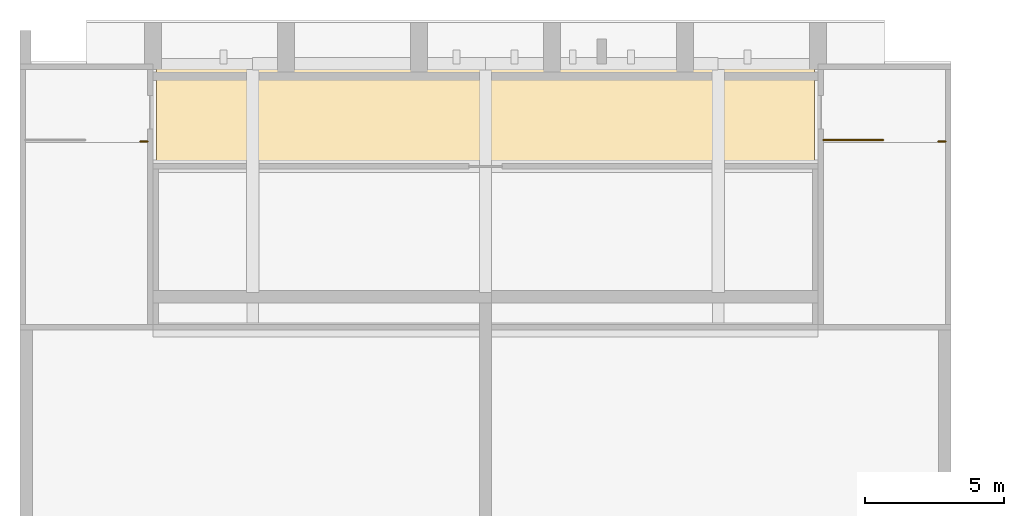
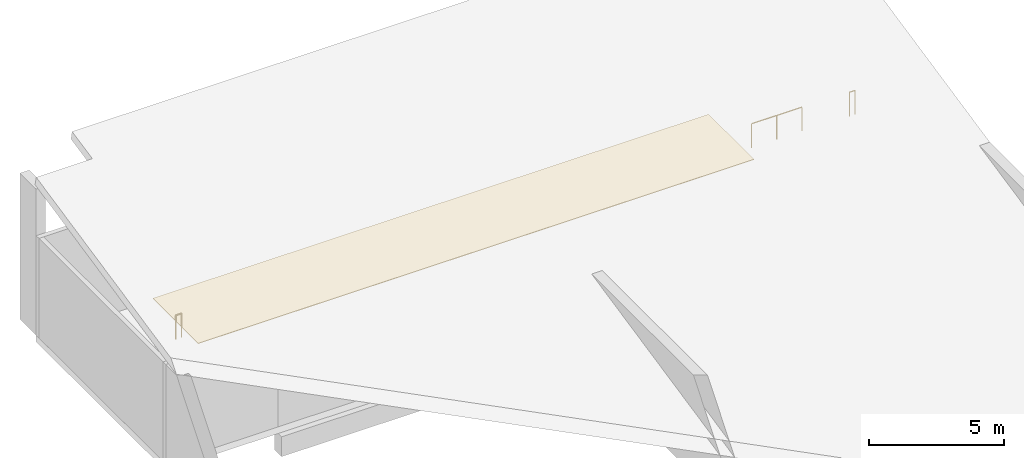
# One storey, part 19 of 19: 3 railings, 1 covering.
"""IFC4 building model written with IfcOpenShell, lengths in metres."""

from ifc_helpers import new_model, si_unit, direction, frame, origin, origin_2d, place, context, subcontext, project, spatial, polyline, circle, outline, extrude, material, layer, layer_set, type_object, element, save


model = new_model("IFC4")

# Units and contexts
model_context = context("Model", 3, precision=1e-05, world=origin(), true_north=direction((0.0, 1.0)))
body_context = subcontext(model_context, "Body", "Model", "MODEL_VIEW")
ifc_project = project(units=[si_unit("LENGTHUNIT", "METRE"), si_unit("AREAUNIT", "SQUARE_METRE"), si_unit("VOLUMEUNIT", "CUBIC_METRE"), si_unit("PLANEANGLEUNIT", "RADIAN"), si_unit("MASSUNIT", "GRAM", prefix="KILO")], contexts=[model_context])

# Site, building, storey
site_placement = place(None, origin())
site = spatial("IfcSite", under=ifc_project, at=site_placement, CompositionType="ELEMENT")
building_placement = place(site_placement, origin())
building = spatial("IfcBuilding", under=site, at=building_placement, Name="Kiln Court Media Centre", CompositionType="ELEMENT")
storey_placement = place(building_placement, frame((0.0, 0.0, 29.10009765625)))
storey = spatial("IfcBuildingStorey", under=building, at=storey_placement, Name="L06", CompositionType="ELEMENT", Elevation=29.10009765625)

# Covering
ifc_material_1 = material(Name="Terrazzo")
ifc_layer = layer(ifc_material_1, 0.02490234375)
ifc_layer_set = layer_set([ifc_layer], Name="Polished terrazzo floor finish 25")
covering_type = type_object("IfcCoveringType", Name="Polished terrazzo floor finish 25", PredefinedType="FLOORING", material=ifc_layer_set)
covering_placement = place(storey_placement, origin())
element("IfcCovering", 1, at=covering_placement, inside=storey, type_object=covering_type, Name="Plant Corridor floor finish", PredefinedType="FLOORING", context=body_context, shape_type="SweptSolid", body=[
    extrude(outline(polyline([(4.919921875, 63.719970703125), (28.679931640625, 63.719970703125), (28.679931640625, 67.080078125), (4.919921875, 67.080078125), (4.919921875, 63.719970703125)])), origin(), (0.0, 0.0, 1.0), 0.02490234375),
])

# Railings
ifc_material_2 = material(Name="Steel S275", Category="steel")
railing_type = type_object("IfcRailingType", Name="Steel S275 stair guard 1100", PredefinedType="GUARDRAIL", material=ifc_material_2)
for number, where, name in (
    (2, (4.35009765625, 64.39990234375, 0.0), "ST-07 landing edge guard"),
    (3, (33.14990234375, 64.39990234375, 0.0), "ST-08 landing edge guard"),
):
    element("IfcRailing", number, at=place(storey_placement, frame(where)), inside=storey, type_object=railing_type, Name=name, PredefinedType="GUARDRAIL", context=body_context, shape_type="SweptSolid", body=[
        extrude(circle(Radius=0.02392578125, at=origin_2d()), frame((0.0, 0.0, 1.076171875), z_axis=(1.0, 0.0, 0.0), x_axis=(0.0, 1.0, 0.0)), (0.0, 0.0, 1.0), 0.25),
        extrude(circle(Radius=0.02099609375, at=origin_2d()), origin(), (0.0, 0.0, 1.0), 1.052001953125),
        extrude(circle(Radius=0.02099609375, at=origin_2d()), frame((0.25, 0.0, 0.0)), (0.0, 0.0, 1.0), 1.052001953125),
    ])
railing_placement = place(storey_placement, frame((29.0, 64.449951171875, 0.0)))
element("IfcRailing", 4, at=railing_placement, inside=storey, type_object=railing_type, Name="ST-08 top floor guard", PredefinedType="GUARDRAIL", context=body_context, shape_type="SweptSolid", body=[
    extrude(circle(Radius=0.02392578125, at=origin_2d()), frame((0.0, 0.0, 1.076171875), z_axis=(1.0, 0.0, 0.0), x_axis=(0.0, 1.0, 0.0)), (0.0, 0.0, 1.0), 2.14990234375),
    extrude(circle(Radius=0.02099609375, at=origin_2d()), origin(), (0.0, 0.0, 1.0), 1.052001953125),
    extrude(circle(Radius=0.02099609375, at=origin_2d()), frame((1.074951171875, 0.0, 0.0)), (0.0, 0.0, 1.0), 1.052001953125),
    extrude(circle(Radius=0.02099609375, at=origin_2d()), frame((2.14990234375, 0.0, 0.0)), (0.0, 0.0, 1.0), 1.052001953125),
])

save(model, "model.ifc")
